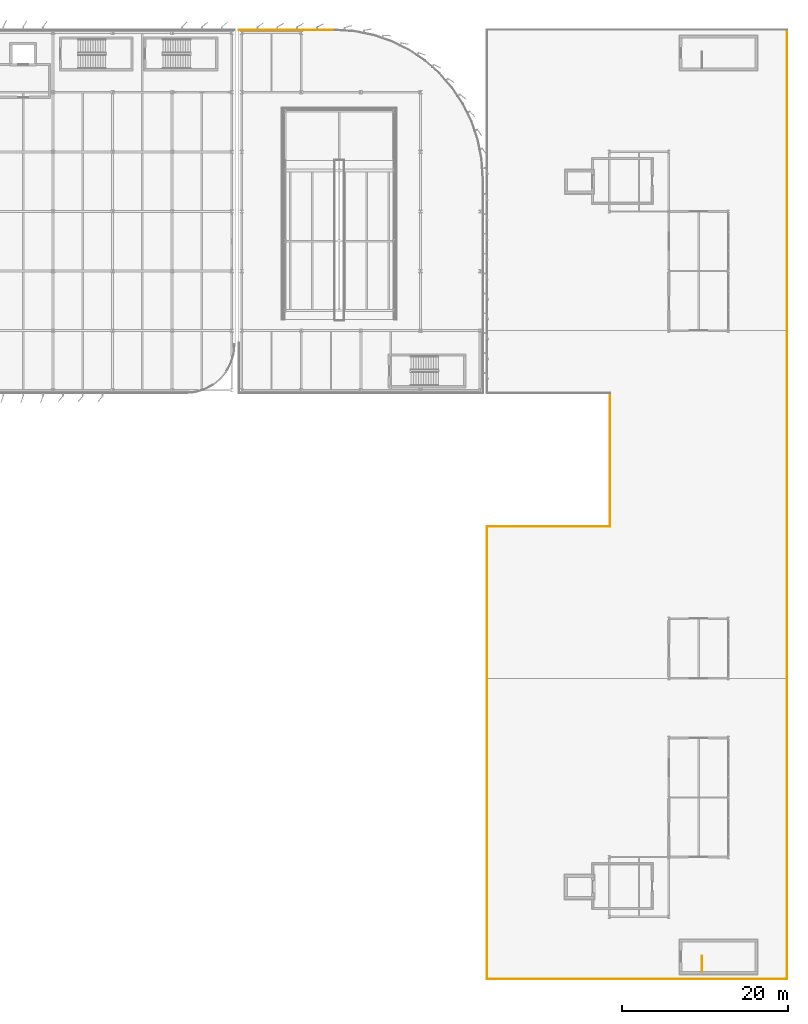
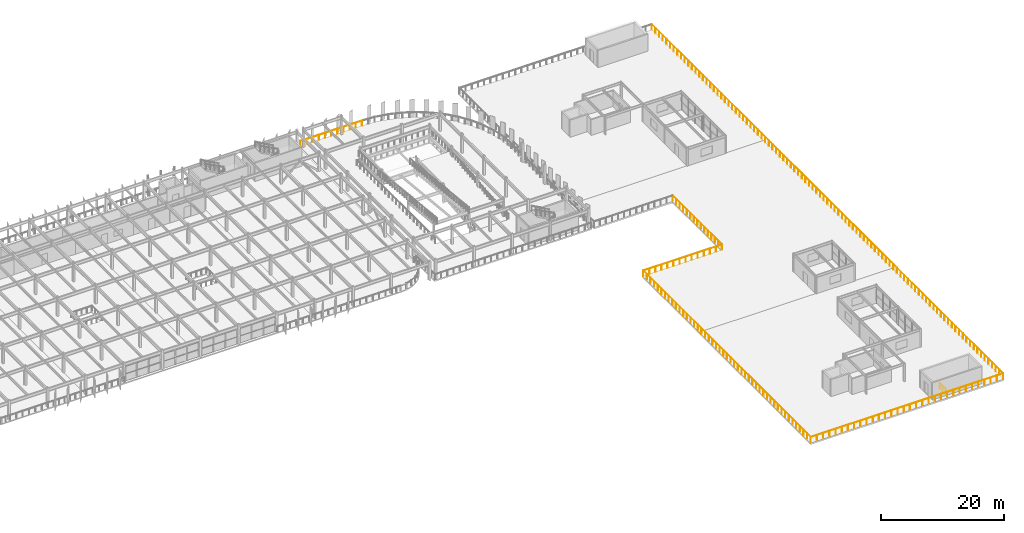
# One storey, part 49 of 52: 7 railings.
"""IFC4 building model written with IfcOpenShell, lengths in metres."""

from ifc_helpers import new_model, si_unit, direction, frame, origin, origin_2d, place, context, subcontext, project, spatial, circle, extrude, material, layer, layer_set, type_object, element, save


model = new_model("IFC4")

# Units and contexts
model_context = context("Model", 3, precision=1e-05, world=origin(), true_north=direction((0.0, 1.0)))
body_context = subcontext(model_context, "Body", "Model", "MODEL_VIEW")
ifc_project = project(units=[si_unit("LENGTHUNIT", "METRE"), si_unit("AREAUNIT", "SQUARE_METRE"), si_unit("VOLUMEUNIT", "CUBIC_METRE"), si_unit("PLANEANGLEUNIT", "RADIAN"), si_unit("MASSUNIT", "GRAM", prefix="KILO")], contexts=[model_context])

# Site, building, storey
site_placement = place(None, origin())
site = spatial("IfcSite", under=ifc_project, at=site_placement, CompositionType="ELEMENT")
building_placement = place(site_placement, origin())
building = spatial("IfcBuilding", under=site, at=building_placement, Name="Vaelcorin Mobility Hub", CompositionType="ELEMENT")
storey_placement = place(building_placement, frame((0.0, 0.0, 13.199951171875)))
storey = spatial("IfcBuildingStorey", under=building, at=storey_placement, Name="L03", CompositionType="ELEMENT", Elevation=13.199951171875)

# Railings
ifc_material_1 = material(Name="Galvanised structural steel ASTM A36", Category="steel")
ifc_layer_1 = layer(ifc_material_1, 0.070068359375)
ifc_layer_set_1 = layer_set([ifc_layer_1], Name="Galvanised structural steel ASTM A36")
railing_type_1 = type_object("IfcRailingType", Name="RL-GUARD-1100", PredefinedType="BALUSTRADE", material=ifc_layer_set_1)
railing_1_placement = place(storey_placement, frame((123.27001953125, 120.330078125, 0.0)))
element("IfcRailing", 1, at=railing_1_placement, inside=storey, type_object=railing_type_1, Name="L03 Perimeter Guard GR-V2E-L03-01", PredefinedType="BALUSTRADE", context=body_context, shape_type="SweptSolid", body=[
    extrude(circle(Radius=0.02392578125, at=origin_2d()), frame((0.0, 0.0, 1.076171875), z_axis=(1.0, 0.0, 0.0), x_axis=(0.0, 1.0, 0.0)), (0.0, 0.0, 1.0), 11.580078125),
    extrude(circle(Radius=0.02099609375, at=origin_2d()), origin(), (0.0, 0.0, 1.0), 1.052001953125),
    extrude(circle(Radius=0.02099609375, at=origin_2d()), frame((1.157958984375, 0.0, 0.0)), (0.0, 0.0, 1.0), 1.052001953125),
    extrude(circle(Radius=0.02099609375, at=origin_2d()), frame((2.31591796875, 0.0, 0.0)), (0.0, 0.0, 1.0), 1.052001953125),
    extrude(circle(Radius=0.02099609375, at=origin_2d()), frame((3.47412109375, 0.0, 0.0)), (0.0, 0.0, 1.0), 1.052001953125),
    extrude(circle(Radius=0.02099609375, at=origin_2d()), frame((4.632080078125, 0.0, 0.0)), (0.0, 0.0, 1.0), 1.052001953125),
    extrude(circle(Radius=0.02099609375, at=origin_2d()), frame((5.7900390625, 0.0, 0.0)), (0.0, 0.0, 1.0), 1.052001953125),
    extrude(circle(Radius=0.02099609375, at=origin_2d()), frame((6.947998046875, 0.0, 0.0)), (0.0, 0.0, 1.0), 1.052001953125),
    extrude(circle(Radius=0.02099609375, at=origin_2d()), frame((8.10595703125, 0.0, 0.0)), (0.0, 0.0, 1.0), 1.052001953125),
    extrude(circle(Radius=0.02099609375, at=origin_2d()), frame((9.26416015625, 0.0, 0.0)), (0.0, 0.0, 1.0), 1.052001953125),
    extrude(circle(Radius=0.02099609375, at=origin_2d()), frame((10.422119140625, 0.0, 0.0)), (0.0, 0.0, 1.0), 1.052001953125),
    extrude(circle(Radius=0.02099609375, at=origin_2d()), frame((11.580078125, 0.0, 0.0)), (0.0, 0.0, 1.0), 1.052001953125),
])
ifc_material_2 = material(Name="Anodised aluminium 6063-T6", Category="aluminium")
ifc_layer_2 = layer(ifc_material_2, 0.070068359375)
ifc_layer_set_2 = layer_set([ifc_layer_2], Name="Anodised aluminium 6063-T6")
railing_type_2 = type_object("IfcRailingType", Name="RL-GUARD-1150", PredefinedType="BALUSTRADE", material=ifc_layer_set_2)
railing_2_placement = place(storey_placement, frame((153.25, 5.64990234375, 0.0)))
element("IfcRailing", 2, at=railing_2_placement, inside=storey, type_object=railing_type_2, Name="L03 Perimeter Guard GR-L03-ROOFGARDEN-01", PredefinedType="BALUSTRADE", context=body_context, shape_type="SweptSolid", body=[
    extrude(circle(Radius=0.02392578125, at=origin_2d()), frame((0.0, 0.0, 1.1259765625), z_axis=(1.0, 0.0, 0.0), x_axis=(0.0, 1.0, 0.0)), (0.0, 0.0, 1.0), 36.25),
    extrude(circle(Radius=0.02099609375, at=origin_2d()), origin(), (0.0, 0.0, 1.0), 1.101806640625),
    extrude(circle(Radius=0.02099609375, at=origin_2d()), frame((1.16943359375, 0.0, 0.0)), (0.0, 0.0, 1.0), 1.101806640625),
    extrude(circle(Radius=0.02099609375, at=origin_2d()), frame((2.338623046875, 0.0, 0.0)), (0.0, 0.0, 1.0), 1.101806640625),
    extrude(circle(Radius=0.02099609375, at=origin_2d()), frame((3.508056640625, 0.0, 0.0)), (0.0, 0.0, 1.0), 1.101806640625),
    extrude(circle(Radius=0.02099609375, at=origin_2d()), frame((4.677490234375, 0.0, 0.0)), (0.0, 0.0, 1.0), 1.101806640625),
    extrude(circle(Radius=0.02099609375, at=origin_2d()), frame((5.8466796875, 0.0, 0.0)), (0.0, 0.0, 1.0), 1.101806640625),
    extrude(circle(Radius=0.02099609375, at=origin_2d()), frame((7.01611328125, 0.0, 0.0)), (0.0, 0.0, 1.0), 1.101806640625),
    extrude(circle(Radius=0.02099609375, at=origin_2d()), frame((8.185546875, 0.0, 0.0)), (0.0, 0.0, 1.0), 1.101806640625),
    extrude(circle(Radius=0.02099609375, at=origin_2d()), frame((9.354736328125, 0.0, 0.0)), (0.0, 0.0, 1.0), 1.101806640625),
    extrude(circle(Radius=0.02099609375, at=origin_2d()), frame((10.524169921875, 0.0, 0.0)), (0.0, 0.0, 1.0), 1.101806640625),
    extrude(circle(Radius=0.02099609375, at=origin_2d()), frame((11.693603515625, 0.0, 0.0)), (0.0, 0.0, 1.0), 1.101806640625),
    extrude(circle(Radius=0.02099609375, at=origin_2d()), frame((12.86279296875, 0.0, 0.0)), (0.0, 0.0, 1.0), 1.101806640625),
    extrude(circle(Radius=0.02099609375, at=origin_2d()), frame((14.0322265625, 0.0, 0.0)), (0.0, 0.0, 1.0), 1.101806640625),
    extrude(circle(Radius=0.02099609375, at=origin_2d()), frame((15.20166015625, 0.0, 0.0)), (0.0, 0.0, 1.0), 1.101806640625),
    extrude(circle(Radius=0.02099609375, at=origin_2d()), frame((16.370849609375, 0.0, 0.0)), (0.0, 0.0, 1.0), 1.101806640625),
    extrude(circle(Radius=0.02099609375, at=origin_2d()), frame((17.540283203125, 0.0, 0.0)), (0.0, 0.0, 1.0), 1.101806640625),
    extrude(circle(Radius=0.02099609375, at=origin_2d()), frame((18.709716796875, 0.0, 0.0)), (0.0, 0.0, 1.0), 1.101806640625),
    extrude(circle(Radius=0.02099609375, at=origin_2d()), frame((19.879150390625, 0.0, 0.0)), (0.0, 0.0, 1.0), 1.101806640625),
    extrude(circle(Radius=0.02099609375, at=origin_2d()), frame((21.04833984375, 0.0, 0.0)), (0.0, 0.0, 1.0), 1.101806640625),
    extrude(circle(Radius=0.02099609375, at=origin_2d()), frame((22.2177734375, 0.0, 0.0)), (0.0, 0.0, 1.0), 1.101806640625),
    extrude(circle(Radius=0.02099609375, at=origin_2d()), frame((23.38720703125, 0.0, 0.0)), (0.0, 0.0, 1.0), 1.101806640625),
    extrude(circle(Radius=0.02099609375, at=origin_2d()), frame((24.556396484375, 0.0, 0.0)), (0.0, 0.0, 1.0), 1.101806640625),
    extrude(circle(Radius=0.02099609375, at=origin_2d()), frame((25.725830078125, 0.0, 0.0)), (0.0, 0.0, 1.0), 1.101806640625),
    extrude(circle(Radius=0.02099609375, at=origin_2d()), frame((26.895263671875, 0.0, 0.0)), (0.0, 0.0, 1.0), 1.101806640625),
    extrude(circle(Radius=0.02099609375, at=origin_2d()), frame((28.064453125, 0.0, 0.0)), (0.0, 0.0, 1.0), 1.101806640625),
    extrude(circle(Radius=0.02099609375, at=origin_2d()), frame((29.23388671875, 0.0, 0.0)), (0.0, 0.0, 1.0), 1.101806640625),
    extrude(circle(Radius=0.02099609375, at=origin_2d()), frame((30.4033203125, 0.0, 0.0)), (0.0, 0.0, 1.0), 1.101806640625),
    extrude(circle(Radius=0.02099609375, at=origin_2d()), frame((31.572509765625, 0.0, 0.0)), (0.0, 0.0, 1.0), 1.101806640625),
    extrude(circle(Radius=0.02099609375, at=origin_2d()), frame((32.741943359375, 0.0, 0.0)), (0.0, 0.0, 1.0), 1.101806640625),
    extrude(circle(Radius=0.02099609375, at=origin_2d()), frame((33.911376953125, 0.0, 0.0)), (0.0, 0.0, 1.0), 1.101806640625),
    extrude(circle(Radius=0.02099609375, at=origin_2d()), frame((35.08056640625, 0.0, 0.0)), (0.0, 0.0, 1.0), 1.101806640625),
    extrude(circle(Radius=0.02099609375, at=origin_2d()), frame((36.25, 0.0, 0.0)), (0.0, 0.0, 1.0), 1.101806640625),
])
railing_3_placement = place(storey_placement, frame((189.5, 5.64990234375, 0.0)))
element("IfcRailing", 3, at=railing_3_placement, inside=storey, type_object=railing_type_2, Name="L03 Perimeter Guard GR-L03-ROOFGARDEN-02", PredefinedType="BALUSTRADE", context=body_context, shape_type="SweptSolid", body=[
    extrude(circle(Radius=0.02392578125, at=origin_2d()), frame((0.0, 0.0, 1.1259765625), z_axis=(0.0, 1.0, 0.0), x_axis=(-1.0, 0.0, 0.0)), (0.0, 0.0, 1.0), 114.7001953125),
    extrude(circle(Radius=0.02099609375, at=origin_2d()), origin(), (0.0, 0.0, 1.0), 1.101806640625),
    extrude(circle(Radius=0.02099609375, at=origin_2d()), frame((0.0, 1.19482421875, 0.0)), (0.0, 0.0, 1.0), 1.101806640625),
    extrude(circle(Radius=0.02099609375, at=origin_2d()), frame((0.0, 2.3896484375, 0.0)), (0.0, 0.0, 1.0), 1.101806640625),
    extrude(circle(Radius=0.02099609375, at=origin_2d()), frame((0.0, 3.58447265625, 0.0)), (0.0, 0.0, 1.0), 1.101806640625),
    extrude(circle(Radius=0.02099609375, at=origin_2d()), frame((0.0, 4.779296875, 0.0)), (0.0, 0.0, 1.0), 1.101806640625),
    extrude(circle(Radius=0.02099609375, at=origin_2d()), frame((0.0, 5.973876953125, 0.0)), (0.0, 0.0, 1.0), 1.101806640625),
    extrude(circle(Radius=0.02099609375, at=origin_2d()), frame((0.0, 7.168701171875, 0.0)), (0.0, 0.0, 1.0), 1.101806640625),
    extrude(circle(Radius=0.02099609375, at=origin_2d()), frame((0.0, 8.363525390625, 0.0)), (0.0, 0.0, 1.0), 1.101806640625),
    extrude(circle(Radius=0.02099609375, at=origin_2d()), frame((0.0, 9.558349609375, 0.0)), (0.0, 0.0, 1.0), 1.101806640625),
    extrude(circle(Radius=0.02099609375, at=origin_2d()), frame((0.0, 10.753173828125, 0.0)), (0.0, 0.0, 1.0), 1.101806640625),
    extrude(circle(Radius=0.02099609375, at=origin_2d()), frame((0.0, 11.947998046875, 0.0)), (0.0, 0.0, 1.0), 1.101806640625),
    extrude(circle(Radius=0.02099609375, at=origin_2d()), frame((0.0, 13.142822265625, 0.0)), (0.0, 0.0, 1.0), 1.101806640625),
    extrude(circle(Radius=0.02099609375, at=origin_2d()), frame((0.0, 14.33740234375, 0.0)), (0.0, 0.0, 1.0), 1.101806640625),
    extrude(circle(Radius=0.02099609375, at=origin_2d()), frame((0.0, 15.5322265625, 0.0)), (0.0, 0.0, 1.0), 1.101806640625),
    extrude(circle(Radius=0.02099609375, at=origin_2d()), frame((0.0, 16.72705078125, 0.0)), (0.0, 0.0, 1.0), 1.101806640625),
    extrude(circle(Radius=0.02099609375, at=origin_2d()), frame((0.0, 17.921875, 0.0)), (0.0, 0.0, 1.0), 1.101806640625),
    extrude(circle(Radius=0.02099609375, at=origin_2d()), frame((0.0, 19.11669921875, 0.0)), (0.0, 0.0, 1.0), 1.101806640625),
    extrude(circle(Radius=0.02099609375, at=origin_2d()), frame((0.0, 20.3115234375, 0.0)), (0.0, 0.0, 1.0), 1.101806640625),
    extrude(circle(Radius=0.02099609375, at=origin_2d()), frame((0.0, 21.50634765625, 0.0)), (0.0, 0.0, 1.0), 1.101806640625),
    extrude(circle(Radius=0.02099609375, at=origin_2d()), frame((0.0, 22.701171875, 0.0)), (0.0, 0.0, 1.0), 1.101806640625),
    extrude(circle(Radius=0.02099609375, at=origin_2d()), frame((0.0, 23.89599609375, 0.0)), (0.0, 0.0, 1.0), 1.101806640625),
    extrude(circle(Radius=0.02099609375, at=origin_2d()), frame((0.0, 25.090576171875, 0.0)), (0.0, 0.0, 1.0), 1.101806640625),
    extrude(circle(Radius=0.02099609375, at=origin_2d()), frame((0.0, 26.285400390625, 0.0)), (0.0, 0.0, 1.0), 1.101806640625),
    extrude(circle(Radius=0.02099609375, at=origin_2d()), frame((0.0, 27.480224609375, 0.0)), (0.0, 0.0, 1.0), 1.101806640625),
    extrude(circle(Radius=0.02099609375, at=origin_2d()), frame((0.0, 28.675048828125, 0.0)), (0.0, 0.0, 1.0), 1.101806640625),
    extrude(circle(Radius=0.02099609375, at=origin_2d()), frame((0.0, 29.869873046875, 0.0)), (0.0, 0.0, 1.0), 1.101806640625),
    extrude(circle(Radius=0.02099609375, at=origin_2d()), frame((0.0, 31.064697265625, 0.0)), (0.0, 0.0, 1.0), 1.101806640625),
    extrude(circle(Radius=0.02099609375, at=origin_2d()), frame((0.0, 32.259521484375, 0.0)), (0.0, 0.0, 1.0), 1.101806640625),
    extrude(circle(Radius=0.02099609375, at=origin_2d()), frame((0.0, 33.4541015625, 0.0)), (0.0, 0.0, 1.0), 1.101806640625),
    extrude(circle(Radius=0.02099609375, at=origin_2d()), frame((0.0, 34.64892578125, 0.0)), (0.0, 0.0, 1.0), 1.101806640625),
    extrude(circle(Radius=0.02099609375, at=origin_2d()), frame((0.0, 35.84375, 0.0)), (0.0, 0.0, 1.0), 1.101806640625),
    extrude(circle(Radius=0.02099609375, at=origin_2d()), frame((0.0, 37.03857421875, 0.0)), (0.0, 0.0, 1.0), 1.101806640625),
    extrude(circle(Radius=0.02099609375, at=origin_2d()), frame((0.0, 38.2333984375, 0.0)), (0.0, 0.0, 1.0), 1.101806640625),
    extrude(circle(Radius=0.02099609375, at=origin_2d()), frame((0.0, 39.42822265625, 0.0)), (0.0, 0.0, 1.0), 1.101806640625),
    extrude(circle(Radius=0.02099609375, at=origin_2d()), frame((0.0, 40.623046875, 0.0)), (0.0, 0.0, 1.0), 1.101806640625),
    extrude(circle(Radius=0.02099609375, at=origin_2d()), frame((0.0, 41.81787109375, 0.0)), (0.0, 0.0, 1.0), 1.101806640625),
    extrude(circle(Radius=0.02099609375, at=origin_2d()), frame((0.0, 43.0126953125, 0.0)), (0.0, 0.0, 1.0), 1.101806640625),
    extrude(circle(Radius=0.02099609375, at=origin_2d()), frame((0.0, 44.207275390625, 0.0)), (0.0, 0.0, 1.0), 1.101806640625),
    extrude(circle(Radius=0.02099609375, at=origin_2d()), frame((0.0, 45.402099609375, 0.0)), (0.0, 0.0, 1.0), 1.101806640625),
    extrude(circle(Radius=0.02099609375, at=origin_2d()), frame((0.0, 46.596923828125, 0.0)), (0.0, 0.0, 1.0), 1.101806640625),
    extrude(circle(Radius=0.02099609375, at=origin_2d()), frame((0.0, 47.791748046875, 0.0)), (0.0, 0.0, 1.0), 1.101806640625),
    extrude(circle(Radius=0.02099609375, at=origin_2d()), frame((0.0, 48.986572265625, 0.0)), (0.0, 0.0, 1.0), 1.101806640625),
    extrude(circle(Radius=0.02099609375, at=origin_2d()), frame((0.0, 50.181396484375, 0.0)), (0.0, 0.0, 1.0), 1.101806640625),
    extrude(circle(Radius=0.02099609375, at=origin_2d()), frame((0.0, 51.376220703125, 0.0)), (0.0, 0.0, 1.0), 1.101806640625),
    extrude(circle(Radius=0.02099609375, at=origin_2d()), frame((0.0, 52.57080078125, 0.0)), (0.0, 0.0, 1.0), 1.101806640625),
    extrude(circle(Radius=0.02099609375, at=origin_2d()), frame((0.0, 53.765625, 0.0)), (0.0, 0.0, 1.0), 1.101806640625),
    extrude(circle(Radius=0.02099609375, at=origin_2d()), frame((0.0, 54.96044921875, 0.0)), (0.0, 0.0, 1.0), 1.101806640625),
    extrude(circle(Radius=0.02099609375, at=origin_2d()), frame((0.0, 56.1552734375, 0.0)), (0.0, 0.0, 1.0), 1.101806640625),
    extrude(circle(Radius=0.02099609375, at=origin_2d()), frame((0.0, 57.35009765625, 0.0)), (0.0, 0.0, 1.0), 1.101806640625),
    extrude(circle(Radius=0.02099609375, at=origin_2d()), frame((0.0, 58.544921875, 0.0)), (0.0, 0.0, 1.0), 1.101806640625),
    extrude(circle(Radius=0.02099609375, at=origin_2d()), frame((0.0, 59.73974609375, 0.0)), (0.0, 0.0, 1.0), 1.101806640625),
    extrude(circle(Radius=0.02099609375, at=origin_2d()), frame((0.0, 60.9345703125, 0.0)), (0.0, 0.0, 1.0), 1.101806640625),
    extrude(circle(Radius=0.02099609375, at=origin_2d()), frame((0.0, 62.129150390625, 0.0)), (0.0, 0.0, 1.0), 1.101806640625),
    extrude(circle(Radius=0.02099609375, at=origin_2d()), frame((0.0, 63.323974609375, 0.0)), (0.0, 0.0, 1.0), 1.101806640625),
    extrude(circle(Radius=0.02099609375, at=origin_2d()), frame((0.0, 64.518798828125, 0.0)), (0.0, 0.0, 1.0), 1.101806640625),
    extrude(circle(Radius=0.02099609375, at=origin_2d()), frame((0.0, 65.713623046875, 0.0)), (0.0, 0.0, 1.0), 1.101806640625),
    extrude(circle(Radius=0.02099609375, at=origin_2d()), frame((0.0, 66.908447265625, 0.0)), (0.0, 0.0, 1.0), 1.101806640625),
    extrude(circle(Radius=0.02099609375, at=origin_2d()), frame((0.0, 68.103271484375, 0.0)), (0.0, 0.0, 1.0), 1.101806640625),
    extrude(circle(Radius=0.02099609375, at=origin_2d()), frame((0.0, 69.298095703125, 0.0)), (0.0, 0.0, 1.0), 1.101806640625),
    extrude(circle(Radius=0.02099609375, at=origin_2d()), frame((0.0, 70.492919921875, 0.0)), (0.0, 0.0, 1.0), 1.101806640625),
    extrude(circle(Radius=0.02099609375, at=origin_2d()), frame((0.0, 71.6875, 0.0)), (0.0, 0.0, 1.0), 1.101806640625),
    extrude(circle(Radius=0.02099609375, at=origin_2d()), frame((0.0, 72.88232421875, 0.0)), (0.0, 0.0, 1.0), 1.101806640625),
    extrude(circle(Radius=0.02099609375, at=origin_2d()), frame((0.0, 74.0771484375, 0.0)), (0.0, 0.0, 1.0), 1.101806640625),
    extrude(circle(Radius=0.02099609375, at=origin_2d()), frame((0.0, 75.27197265625, 0.0)), (0.0, 0.0, 1.0), 1.101806640625),
    extrude(circle(Radius=0.02099609375, at=origin_2d()), frame((0.0, 76.466796875, 0.0)), (0.0, 0.0, 1.0), 1.101806640625),
    extrude(circle(Radius=0.02099609375, at=origin_2d()), frame((0.0, 77.66162109375, 0.0)), (0.0, 0.0, 1.0), 1.101806640625),
    extrude(circle(Radius=0.02099609375, at=origin_2d()), frame((0.0, 78.8564453125, 0.0)), (0.0, 0.0, 1.0), 1.101806640625),
    extrude(circle(Radius=0.02099609375, at=origin_2d()), frame((0.0, 80.05126953125, 0.0)), (0.0, 0.0, 1.0), 1.101806640625),
    extrude(circle(Radius=0.02099609375, at=origin_2d()), frame((0.0, 81.24609375, 0.0)), (0.0, 0.0, 1.0), 1.101806640625),
    extrude(circle(Radius=0.02099609375, at=origin_2d()), frame((0.0, 82.440673828125, 0.0)), (0.0, 0.0, 1.0), 1.101806640625),
    extrude(circle(Radius=0.02099609375, at=origin_2d()), frame((0.0, 83.635498046875, 0.0)), (0.0, 0.0, 1.0), 1.101806640625),
    extrude(circle(Radius=0.02099609375, at=origin_2d()), frame((0.0, 84.830322265625, 0.0)), (0.0, 0.0, 1.0), 1.101806640625),
    extrude(circle(Radius=0.02099609375, at=origin_2d()), frame((0.0, 86.025146484375, 0.0)), (0.0, 0.0, 1.0), 1.101806640625),
    extrude(circle(Radius=0.02099609375, at=origin_2d()), frame((0.0, 87.219970703125, 0.0)), (0.0, 0.0, 1.0), 1.101806640625),
    extrude(circle(Radius=0.02099609375, at=origin_2d()), frame((0.0, 88.414794921875, 0.0)), (0.0, 0.0, 1.0), 1.101806640625),
    extrude(circle(Radius=0.02099609375, at=origin_2d()), frame((0.0, 89.609619140625, 0.0)), (0.0, 0.0, 1.0), 1.101806640625),
    extrude(circle(Radius=0.02099609375, at=origin_2d()), frame((0.0, 90.80419921875, 0.0)), (0.0, 0.0, 1.0), 1.101806640625),
    extrude(circle(Radius=0.02099609375, at=origin_2d()), frame((0.0, 91.9990234375, 0.0)), (0.0, 0.0, 1.0), 1.101806640625),
    extrude(circle(Radius=0.02099609375, at=origin_2d()), frame((0.0, 93.19384765625, 0.0)), (0.0, 0.0, 1.0), 1.101806640625),
    extrude(circle(Radius=0.02099609375, at=origin_2d()), frame((0.0, 94.388671875, 0.0)), (0.0, 0.0, 1.0), 1.101806640625),
    extrude(circle(Radius=0.02099609375, at=origin_2d()), frame((0.0, 95.58349609375, 0.0)), (0.0, 0.0, 1.0), 1.101806640625),
    extrude(circle(Radius=0.02099609375, at=origin_2d()), frame((0.0, 96.7783203125, 0.0)), (0.0, 0.0, 1.0), 1.101806640625),
    extrude(circle(Radius=0.02099609375, at=origin_2d()), frame((0.0, 97.97314453125, 0.0)), (0.0, 0.0, 1.0), 1.101806640625),
    extrude(circle(Radius=0.02099609375, at=origin_2d()), frame((0.0, 99.16796875, 0.0)), (0.0, 0.0, 1.0), 1.101806640625),
    extrude(circle(Radius=0.02099609375, at=origin_2d()), frame((0.0, 100.36279296875, 0.0)), (0.0, 0.0, 1.0), 1.101806640625),
    extrude(circle(Radius=0.02099609375, at=origin_2d()), frame((0.0, 101.557373046875, 0.0)), (0.0, 0.0, 1.0), 1.101806640625),
    extrude(circle(Radius=0.02099609375, at=origin_2d()), frame((0.0, 102.752197265625, 0.0)), (0.0, 0.0, 1.0), 1.101806640625),
    extrude(circle(Radius=0.02099609375, at=origin_2d()), frame((0.0, 103.947021484375, 0.0)), (0.0, 0.0, 1.0), 1.101806640625),
    extrude(circle(Radius=0.02099609375, at=origin_2d()), frame((0.0, 105.141845703125, 0.0)), (0.0, 0.0, 1.0), 1.101806640625),
    extrude(circle(Radius=0.02099609375, at=origin_2d()), frame((0.0, 106.336669921875, 0.0)), (0.0, 0.0, 1.0), 1.101806640625),
    extrude(circle(Radius=0.02099609375, at=origin_2d()), frame((0.0, 107.531494140625, 0.0)), (0.0, 0.0, 1.0), 1.101806640625),
    extrude(circle(Radius=0.02099609375, at=origin_2d()), frame((0.0, 108.726318359375, 0.0)), (0.0, 0.0, 1.0), 1.101806640625),
    extrude(circle(Radius=0.02099609375, at=origin_2d()), frame((0.0, 109.9208984375, 0.0)), (0.0, 0.0, 1.0), 1.101806640625),
    extrude(circle(Radius=0.02099609375, at=origin_2d()), frame((0.0, 111.11572265625, 0.0)), (0.0, 0.0, 1.0), 1.101806640625),
    extrude(circle(Radius=0.02099609375, at=origin_2d()), frame((0.0, 112.310546875, 0.0)), (0.0, 0.0, 1.0), 1.101806640625),
    extrude(circle(Radius=0.02099609375, at=origin_2d()), frame((0.0, 113.50537109375, 0.0)), (0.0, 0.0, 1.0), 1.101806640625),
    extrude(circle(Radius=0.02099609375, at=origin_2d()), frame((0.0, 114.7001953125, 0.0)), (0.0, 0.0, 1.0), 1.101806640625),
])
railing_4_placement = place(storey_placement, frame((168.10009765625, 76.449951171875, 0.0)))
element("IfcRailing", 4, at=railing_4_placement, inside=storey, type_object=railing_type_2, Name="L03 Perimeter Guard GR-L03-ROOFGARDEN-06", PredefinedType="BALUSTRADE", context=body_context, shape_type="SweptSolid", body=[
    extrude(circle(Radius=0.02392578125, at=origin_2d()), frame((0.0, 0.0, 1.1259765625), z_axis=(0.0, -1.0, 0.0), x_axis=(1.0, 0.0, 0.0)), (0.0, 0.0, 1.0), 16.099853515625),
    extrude(circle(Radius=0.02099609375, at=origin_2d()), origin(), (0.0, 0.0, 1.0), 1.101806640625),
    extrude(circle(Radius=0.02099609375, at=origin_2d()), frame((0.0, -1.14990234375, 0.0)), (0.0, 0.0, 1.0), 1.101806640625),
    extrude(circle(Radius=0.02099609375, at=origin_2d()), frame((0.0, -2.300048828125, 0.0)), (0.0, 0.0, 1.0), 1.101806640625),
    extrude(circle(Radius=0.02099609375, at=origin_2d()), frame((0.0, -3.449951171875, 0.0)), (0.0, 0.0, 1.0), 1.101806640625),
    extrude(circle(Radius=0.02099609375, at=origin_2d()), frame((0.0, -4.599853515625, 0.0)), (0.0, 0.0, 1.0), 1.101806640625),
    extrude(circle(Radius=0.02099609375, at=origin_2d()), frame((0.0, -5.75, 0.0)), (0.0, 0.0, 1.0), 1.101806640625),
    extrude(circle(Radius=0.02099609375, at=origin_2d()), frame((0.0, -6.89990234375, 0.0)), (0.0, 0.0, 1.0), 1.101806640625),
    extrude(circle(Radius=0.02099609375, at=origin_2d()), frame((0.0, -8.0498046875, 0.0)), (0.0, 0.0, 1.0), 1.101806640625),
    extrude(circle(Radius=0.02099609375, at=origin_2d()), frame((0.0, -9.199951171875, 0.0)), (0.0, 0.0, 1.0), 1.101806640625),
    extrude(circle(Radius=0.02099609375, at=origin_2d()), frame((0.0, -10.349853515625, 0.0)), (0.0, 0.0, 1.0), 1.101806640625),
    extrude(circle(Radius=0.02099609375, at=origin_2d()), frame((0.0, -11.5, 0.0)), (0.0, 0.0, 1.0), 1.101806640625),
    extrude(circle(Radius=0.02099609375, at=origin_2d()), frame((0.0, -12.64990234375, 0.0)), (0.0, 0.0, 1.0), 1.101806640625),
    extrude(circle(Radius=0.02099609375, at=origin_2d()), frame((0.0, -13.7998046875, 0.0)), (0.0, 0.0, 1.0), 1.101806640625),
    extrude(circle(Radius=0.02099609375, at=origin_2d()), frame((0.0, -14.949951171875, 0.0)), (0.0, 0.0, 1.0), 1.101806640625),
    extrude(circle(Radius=0.02099609375, at=origin_2d()), frame((0.0, -16.099853515625, 0.0)), (0.0, 0.0, 1.0), 1.101806640625),
])
railing_5_placement = place(storey_placement, frame((168.10009765625, 60.35009765625, 0.0)))
element("IfcRailing", 5, at=railing_5_placement, inside=storey, type_object=railing_type_2, Name="L03 Perimeter Guard GR-L03-ROOFGARDEN-07", PredefinedType="BALUSTRADE", context=body_context, shape_type="SweptSolid", body=[
    extrude(circle(Radius=0.02392578125, at=origin_2d()), frame((0.0, 0.0, 1.1259765625), z_axis=(-1.0, 0.0, 0.0), x_axis=(0.0, -1.0, 0.0)), (0.0, 0.0, 1.0), 14.85009765625),
    extrude(circle(Radius=0.02099609375, at=origin_2d()), origin(), (0.0, 0.0, 1.0), 1.101806640625),
    extrude(circle(Radius=0.02099609375, at=origin_2d()), frame((-1.142333984375, 0.0, 0.0)), (0.0, 0.0, 1.0), 1.101806640625),
    extrude(circle(Radius=0.02099609375, at=origin_2d()), frame((-2.28466796875, 0.0, 0.0)), (0.0, 0.0, 1.0), 1.101806640625),
    extrude(circle(Radius=0.02099609375, at=origin_2d()), frame((-3.427001953125, 0.0, 0.0)), (0.0, 0.0, 1.0), 1.101806640625),
    extrude(circle(Radius=0.02099609375, at=origin_2d()), frame((-4.5693359375, 0.0, 0.0)), (0.0, 0.0, 1.0), 1.101806640625),
    extrude(circle(Radius=0.02099609375, at=origin_2d()), frame((-5.711669921875, 0.0, 0.0)), (0.0, 0.0, 1.0), 1.101806640625),
    extrude(circle(Radius=0.02099609375, at=origin_2d()), frame((-6.85400390625, 0.0, 0.0)), (0.0, 0.0, 1.0), 1.101806640625),
    extrude(circle(Radius=0.02099609375, at=origin_2d()), frame((-7.99609375, 0.0, 0.0)), (0.0, 0.0, 1.0), 1.101806640625),
    extrude(circle(Radius=0.02099609375, at=origin_2d()), frame((-9.138427734375, 0.0, 0.0)), (0.0, 0.0, 1.0), 1.101806640625),
    extrude(circle(Radius=0.02099609375, at=origin_2d()), frame((-10.28076171875, 0.0, 0.0)), (0.0, 0.0, 1.0), 1.101806640625),
    extrude(circle(Radius=0.02099609375, at=origin_2d()), frame((-11.423095703125, 0.0, 0.0)), (0.0, 0.0, 1.0), 1.101806640625),
    extrude(circle(Radius=0.02099609375, at=origin_2d()), frame((-12.5654296875, 0.0, 0.0)), (0.0, 0.0, 1.0), 1.101806640625),
    extrude(circle(Radius=0.02099609375, at=origin_2d()), frame((-13.707763671875, 0.0, 0.0)), (0.0, 0.0, 1.0), 1.101806640625),
    extrude(circle(Radius=0.02099609375, at=origin_2d()), frame((-14.85009765625, 0.0, 0.0)), (0.0, 0.0, 1.0), 1.101806640625),
])
railing_6_placement = place(storey_placement, frame((153.25, 60.35009765625, 0.0)))
element("IfcRailing", 6, at=railing_6_placement, inside=storey, type_object=railing_type_2, Name="L03 Perimeter Guard GR-L03-ROOFGARDEN-08", PredefinedType="BALUSTRADE", context=body_context, shape_type="SweptSolid", body=[
    extrude(circle(Radius=0.02392578125, at=origin_2d()), frame((0.0, 0.0, 1.1259765625), z_axis=(0.0, -1.0, 0.0), x_axis=(1.0, 0.0, 0.0)), (0.0, 0.0, 1.0), 54.7001953125),
    extrude(circle(Radius=0.02099609375, at=origin_2d()), origin(), (0.0, 0.0, 1.0), 1.101806640625),
    extrude(circle(Radius=0.02099609375, at=origin_2d()), frame((0.0, -1.189208984375, 0.0)), (0.0, 0.0, 1.0), 1.101806640625),
    extrude(circle(Radius=0.02099609375, at=origin_2d()), frame((0.0, -2.378173828125, 0.0)), (0.0, 0.0, 1.0), 1.101806640625),
    extrude(circle(Radius=0.02099609375, at=origin_2d()), frame((0.0, -3.5673828125, 0.0)), (0.0, 0.0, 1.0), 1.101806640625),
    extrude(circle(Radius=0.02099609375, at=origin_2d()), frame((0.0, -4.756591796875, 0.0)), (0.0, 0.0, 1.0), 1.101806640625),
    extrude(circle(Radius=0.02099609375, at=origin_2d()), frame((0.0, -5.945556640625, 0.0)), (0.0, 0.0, 1.0), 1.101806640625),
    extrude(circle(Radius=0.02099609375, at=origin_2d()), frame((0.0, -7.134765625, 0.0)), (0.0, 0.0, 1.0), 1.101806640625),
    extrude(circle(Radius=0.02099609375, at=origin_2d()), frame((0.0, -8.323974609375, 0.0)), (0.0, 0.0, 1.0), 1.101806640625),
    extrude(circle(Radius=0.02099609375, at=origin_2d()), frame((0.0, -9.51318359375, 0.0)), (0.0, 0.0, 1.0), 1.101806640625),
    extrude(circle(Radius=0.02099609375, at=origin_2d()), frame((0.0, -10.7021484375, 0.0)), (0.0, 0.0, 1.0), 1.101806640625),
    extrude(circle(Radius=0.02099609375, at=origin_2d()), frame((0.0, -11.891357421875, 0.0)), (0.0, 0.0, 1.0), 1.101806640625),
    extrude(circle(Radius=0.02099609375, at=origin_2d()), frame((0.0, -13.08056640625, 0.0)), (0.0, 0.0, 1.0), 1.101806640625),
    extrude(circle(Radius=0.02099609375, at=origin_2d()), frame((0.0, -14.26953125, 0.0)), (0.0, 0.0, 1.0), 1.101806640625),
    extrude(circle(Radius=0.02099609375, at=origin_2d()), frame((0.0, -15.458740234375, 0.0)), (0.0, 0.0, 1.0), 1.101806640625),
    extrude(circle(Radius=0.02099609375, at=origin_2d()), frame((0.0, -16.64794921875, 0.0)), (0.0, 0.0, 1.0), 1.101806640625),
    extrude(circle(Radius=0.02099609375, at=origin_2d()), frame((0.0, -17.8369140625, 0.0)), (0.0, 0.0, 1.0), 1.101806640625),
    extrude(circle(Radius=0.02099609375, at=origin_2d()), frame((0.0, -19.026123046875, 0.0)), (0.0, 0.0, 1.0), 1.101806640625),
    extrude(circle(Radius=0.02099609375, at=origin_2d()), frame((0.0, -20.21533203125, 0.0)), (0.0, 0.0, 1.0), 1.101806640625),
    extrude(circle(Radius=0.02099609375, at=origin_2d()), frame((0.0, -21.404541015625, 0.0)), (0.0, 0.0, 1.0), 1.101806640625),
    extrude(circle(Radius=0.02099609375, at=origin_2d()), frame((0.0, -22.593505859375, 0.0)), (0.0, 0.0, 1.0), 1.101806640625),
    extrude(circle(Radius=0.02099609375, at=origin_2d()), frame((0.0, -23.78271484375, 0.0)), (0.0, 0.0, 1.0), 1.101806640625),
    extrude(circle(Radius=0.02099609375, at=origin_2d()), frame((0.0, -24.971923828125, 0.0)), (0.0, 0.0, 1.0), 1.101806640625),
    extrude(circle(Radius=0.02099609375, at=origin_2d()), frame((0.0, -26.160888671875, 0.0)), (0.0, 0.0, 1.0), 1.101806640625),
    extrude(circle(Radius=0.02099609375, at=origin_2d()), frame((0.0, -27.35009765625, 0.0)), (0.0, 0.0, 1.0), 1.101806640625),
    extrude(circle(Radius=0.02099609375, at=origin_2d()), frame((0.0, -28.539306640625, 0.0)), (0.0, 0.0, 1.0), 1.101806640625),
    extrude(circle(Radius=0.02099609375, at=origin_2d()), frame((0.0, -29.728271484375, 0.0)), (0.0, 0.0, 1.0), 1.101806640625),
    extrude(circle(Radius=0.02099609375, at=origin_2d()), frame((0.0, -30.91748046875, 0.0)), (0.0, 0.0, 1.0), 1.101806640625),
    extrude(circle(Radius=0.02099609375, at=origin_2d()), frame((0.0, -32.106689453125, 0.0)), (0.0, 0.0, 1.0), 1.101806640625),
    extrude(circle(Radius=0.02099609375, at=origin_2d()), frame((0.0, -33.295654296875, 0.0)), (0.0, 0.0, 1.0), 1.101806640625),
    extrude(circle(Radius=0.02099609375, at=origin_2d()), frame((0.0, -34.48486328125, 0.0)), (0.0, 0.0, 1.0), 1.101806640625),
    extrude(circle(Radius=0.02099609375, at=origin_2d()), frame((0.0, -35.674072265625, 0.0)), (0.0, 0.0, 1.0), 1.101806640625),
    extrude(circle(Radius=0.02099609375, at=origin_2d()), frame((0.0, -36.86328125, 0.0)), (0.0, 0.0, 1.0), 1.101806640625),
    extrude(circle(Radius=0.02099609375, at=origin_2d()), frame((0.0, -38.05224609375, 0.0)), (0.0, 0.0, 1.0), 1.101806640625),
    extrude(circle(Radius=0.02099609375, at=origin_2d()), frame((0.0, -39.241455078125, 0.0)), (0.0, 0.0, 1.0), 1.101806640625),
    extrude(circle(Radius=0.02099609375, at=origin_2d()), frame((0.0, -40.4306640625, 0.0)), (0.0, 0.0, 1.0), 1.101806640625),
    extrude(circle(Radius=0.02099609375, at=origin_2d()), frame((0.0, -41.61962890625, 0.0)), (0.0, 0.0, 1.0), 1.101806640625),
    extrude(circle(Radius=0.02099609375, at=origin_2d()), frame((0.0, -42.808837890625, 0.0)), (0.0, 0.0, 1.0), 1.101806640625),
    extrude(circle(Radius=0.02099609375, at=origin_2d()), frame((0.0, -43.998046875, 0.0)), (0.0, 0.0, 1.0), 1.101806640625),
    extrude(circle(Radius=0.02099609375, at=origin_2d()), frame((0.0, -45.18701171875, 0.0)), (0.0, 0.0, 1.0), 1.101806640625),
    extrude(circle(Radius=0.02099609375, at=origin_2d()), frame((0.0, -46.376220703125, 0.0)), (0.0, 0.0, 1.0), 1.101806640625),
    extrude(circle(Radius=0.02099609375, at=origin_2d()), frame((0.0, -47.5654296875, 0.0)), (0.0, 0.0, 1.0), 1.101806640625),
    extrude(circle(Radius=0.02099609375, at=origin_2d()), frame((0.0, -48.754638671875, 0.0)), (0.0, 0.0, 1.0), 1.101806640625),
    extrude(circle(Radius=0.02099609375, at=origin_2d()), frame((0.0, -49.943603515625, 0.0)), (0.0, 0.0, 1.0), 1.101806640625),
    extrude(circle(Radius=0.02099609375, at=origin_2d()), frame((0.0, -51.1328125, 0.0)), (0.0, 0.0, 1.0), 1.101806640625),
    extrude(circle(Radius=0.02099609375, at=origin_2d()), frame((0.0, -52.322021484375, 0.0)), (0.0, 0.0, 1.0), 1.101806640625),
    extrude(circle(Radius=0.02099609375, at=origin_2d()), frame((0.0, -53.510986328125, 0.0)), (0.0, 0.0, 1.0), 1.101806640625),
    extrude(circle(Radius=0.02099609375, at=origin_2d()), frame((0.0, -54.7001953125, 0.0)), (0.0, 0.0, 1.0), 1.101806640625),
])
ifc_material_3 = material(Name="Brushed stainless steel 316L", Category="steel")
ifc_layer_3 = layer(ifc_material_3, 0.048095703125)
ifc_layer_set_3 = layer_set([ifc_layer_3], Name="Brushed stainless steel 316L")
railing_type_3 = type_object("IfcRailingType", Name="RL-STAIR-GRD", PredefinedType="GUARDRAIL", material=ifc_layer_set_3)
railing_7_placement = place(storey_placement, frame((179.199951171875, 6.550048828125, 0.0)))
element("IfcRailing", 7, at=railing_7_placement, inside=storey, type_object=railing_type_3, Name="L03 ST5 top well guard 1", PredefinedType="GUARDRAIL", context=body_context, shape_type="SweptSolid", body=[
    extrude(circle(Radius=0.02392578125, at=origin_2d()), frame((0.0, 0.0, 1.076171875), z_axis=(0.0, 1.0, 0.0), x_axis=(-1.0, 0.0, 0.0)), (0.0, 0.0, 1.0), 1.89990234375),
    extrude(circle(Radius=0.02099609375, at=origin_2d()), origin(), (0.0, 0.0, 1.0), 1.052001953125),
    extrude(circle(Radius=0.02099609375, at=origin_2d()), frame((0.0, 0.949951171875, 0.0)), (0.0, 0.0, 1.0), 1.052001953125),
    extrude(circle(Radius=0.02099609375, at=origin_2d()), frame((0.0, 1.89990234375, 0.0)), (0.0, 0.0, 1.0), 1.052001953125),
])

save(model, "model.ifc")
